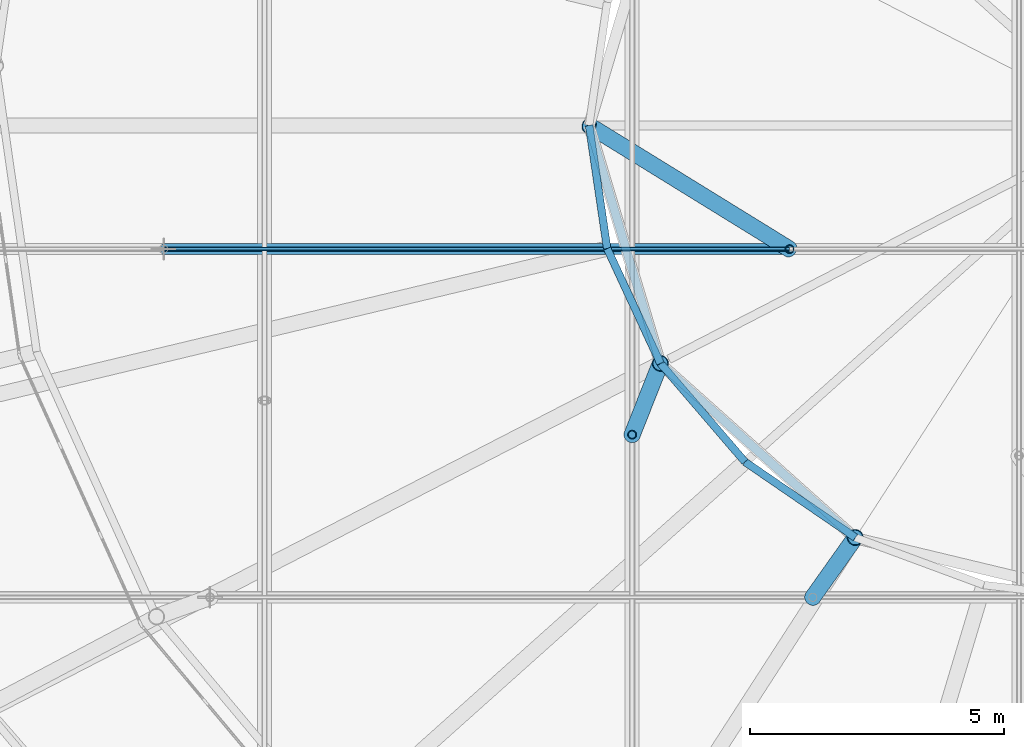
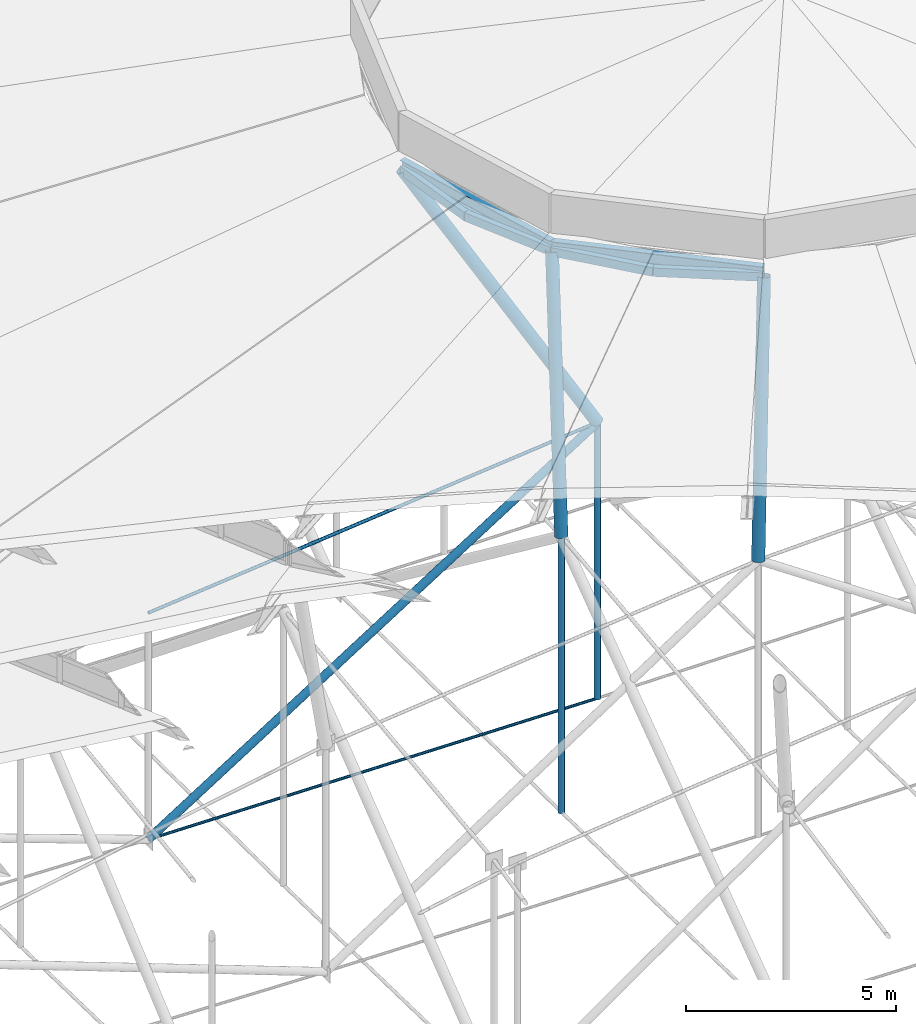
# One storey, part 50 of 173: 12 members, 2 beams.
"""IFC4 building model written with IfcOpenShell, lengths in metres."""

from ifc_helpers import new_model, si_unit, direction, frame, origin, origin_2d, place, context, subcontext, project, spatial, hollow_rectangle, circle, hollow_circle, i_section, extrude, material, material_profile, profile_set, type_object, element, save


model = new_model("IFC4")

# Units and contexts
model_context = context("Model", 3, precision=1e-05, world=origin(), true_north=direction((0.0, 1.0)))
body_context = subcontext(model_context, "Body", "Model", "MODEL_VIEW")
ifc_project = project(units=[si_unit("LENGTHUNIT", "METRE"), si_unit("AREAUNIT", "SQUARE_METRE"), si_unit("VOLUMEUNIT", "CUBIC_METRE"), si_unit("PLANEANGLEUNIT", "RADIAN"), si_unit("MASSUNIT", "GRAM", prefix="KILO")], contexts=[model_context])

# Site, building, storey
site_placement = place(None, origin())
site = spatial("IfcSite", under=ifc_project, at=site_placement, CompositionType="ELEMENT")
building_placement = place(site_placement, origin())
building = spatial("IfcBuilding", under=site, at=building_placement, Name="Glasvene Arena", CompositionType="ELEMENT")
storey_placement = place(building_placement, frame((0.0, 0.0, 28.800048828125)))
storey = spatial("IfcBuildingStorey", under=building, at=storey_placement, Name="RF", CompositionType="ELEMENT", Elevation=28.800048828125)

# Beams
ifc_material_1 = material(Name="Steel S355J2", Category="steel")
ifc_material_profile_1 = material_profile(ifc_material_1, i_section(OverallWidth=0.17138671875, OverallDepth=0.35498046875, WebThickness=0.00732421875, FlangeThickness=0.011474609375, FilletRadius=0.01025390625, at=origin_2d()), Name="UKB 356x171x51")
ifc_profile_set_1 = profile_set([ifc_material_profile_1], Name="Steel S355J2")
beam_type = type_object("IfcBeamType", Name="BM-JOIST-356", PredefinedType="JOIST", material=ifc_profile_set_1)
beam_1_placement = place(storey_placement, frame((75.699951171875, 68.39990234375, 13.079833984375), z_axis=(0.286740614769, -0.958008256667, 0.0), x_axis=(0.958008256667, 0.286740614769, 0.0)))
element("IfcBeam", 1, at=beam_1_placement, inside=storey, type_object=beam_type, Name="Crown lantern perimeter ring beam 07", PredefinedType="JOIST", context=body_context, shape_type="SweptSolid", body=[
    extrude(i_section(OverallWidth=0.17138671875, OverallDepth=0.35498046875, WebThickness=0.00732421875, FlangeThickness=0.011474609375, FilletRadius=0.01025390625, at=origin_2d()), origin(), (0.0, 0.0, 1.0), 4.906005859375),
])
beam_2_placement = place(storey_placement, frame((77.106689453125, 63.699951171875, 13.079833984375), z_axis=(0.74507541556, -0.666980228438, 0.0), x_axis=(0.666980228438, 0.74507541556, 0.0)))
element("IfcBeam", 2, at=beam_2_placement, inside=storey, type_object=beam_type, Name="Crown lantern perimeter ring beam 08", PredefinedType="JOIST", context=body_context, shape_type="SweptSolid", body=[
    extrude(i_section(OverallWidth=0.17138671875, OverallDepth=0.35498046875, WebThickness=0.00732421875, FlangeThickness=0.011474609375, FilletRadius=0.01025390625, at=origin_2d()), origin(), (0.0, 0.0, 1.0), 5.158203125),
])

# Members
ifc_material_2 = material(Name="High-strength steel spiral strand S460", Category="steel")
ifc_material_profile_2 = material_profile(ifc_material_2, circle(Radius=0.03759765625, at=origin_2d()), Name="LCSS D75")
ifc_profile_set_2 = profile_set([ifc_material_profile_2], Name="High-strength steel spiral strand S460")
member_type_1 = type_object("IfcMemberType", Name="MB-CABLE-75", PredefinedType="USERDEFINED", material=ifc_profile_set_2)
member_1_placement = place(storey_placement, frame((67.307861328125, 65.96044921875, -2.112548828125), z_axis=(0.999847586519, 0.0, -0.017458629178), x_axis=(0.0, 1.0, 0.0)))
element("IfcMember", 3, at=member_1_placement, inside=storey, type_object=member_type_1, Name="Lower stabilization roof cable EW03-03", ObjectType="ROOF CABLE", PredefinedType="USERDEFINED", context=body_context, shape_type="SweptSolid", body=[
    extrude(circle(Radius=0.03759765625, at=origin_2d()), origin(), (0.0, 0.0, 1.0), 12.347900390625),
])
ifc_material_profile_3 = material_profile(ifc_material_2, circle(Radius=0.044921875, at=origin_2d()), Name="LCSS D90")
ifc_profile_set_3 = profile_set([ifc_material_profile_3], Name="High-strength steel spiral strand S460")
member_type_2 = type_object("IfcMemberType", Name="MB-CABLE-90", PredefinedType="USERDEFINED", material=ifc_profile_set_3)
member_2_placement = place(storey_placement, frame((67.307861328125, 65.96044921875, 4.472900390625), z_axis=(0.995172455796, 0.0, 0.098141648778), x_axis=(0.0, 1.0, 0.0)))
element("IfcMember", 4, at=member_2_placement, inside=storey, type_object=member_type_2, Name="Upper lens roof cable EW03-03", ObjectType="ROOF CABLE", PredefinedType="USERDEFINED", context=body_context, shape_type="SweptSolid", body=[
    extrude(circle(Radius=0.044921875, at=origin_2d()), origin(), (0.0, 0.0, 1.0), 12.40576171875),
])
ifc_material_profile_4 = material_profile(ifc_material_1, hollow_circle(Radius=0.161865234375, WallThickness=0.01611328125, at=origin_2d()), Name="CHS 323.9x16.0")
ifc_profile_set_4 = profile_set([ifc_material_profile_4], Name="Steel S355J2")
member_type_3 = type_object("IfcMemberType", Name="MB-POST-CHS324", PredefinedType="BRACE", material=ifc_profile_set_4)
member_3_placement = place(storey_placement, frame((79.65380859375, 65.96044921875, 5.6904296875), z_axis=(-0.458657818915, 0.282982953171, 0.842350077677), x_axis=(-0.525082223299, -0.851051501835, 0.0)))
element("IfcMember", 5, at=member_3_placement, inside=storey, type_object=member_type_3, Name="Petal ring 5 ridge support post 13", PredefinedType="BRACE", context=body_context, shape_type="SweptSolid", body=[
    extrude(hollow_circle(Radius=0.161865234375, WallThickness=0.01611328125, at=origin_2d()), origin(), (0.0, 0.0, 1.0), 8.62060546875),
])
member_4_placement = place(storey_placement, frame((76.54931640625, 62.300537109375, 5.6904296875), z_axis=(0.07514112134, 0.189811146197, 0.978941030228), x_axis=(-0.929793968483, 0.368080393627, 0.0)))
element("IfcMember", 6, at=member_4_placement, inside=storey, type_object=member_type_3, Name="Petal ring 5 ridge support post 15", PredefinedType="BRACE", context=body_context, shape_type="SweptSolid", body=[
    extrude(hollow_circle(Radius=0.161865234375, WallThickness=0.01611328125, at=origin_2d()), origin(), (0.0, 0.0, 1.0), 7.417724609375),
])
member_5_placement = place(storey_placement, frame((80.11181640625, 59.09423828125, 5.6904296875), z_axis=(0.113195613315, 0.15935752961, 0.980709911688), x_axis=(-0.815257951354, 0.579097981998, 0.0)))
element("IfcMember", 7, at=member_5_placement, inside=storey, type_object=member_type_3, Name="Petal ring 5 ridge support post 17", PredefinedType="BRACE", context=body_context, shape_type="SweptSolid", body=[
    extrude(hollow_circle(Radius=0.161865234375, WallThickness=0.01611328125, at=origin_2d()), origin(), (0.0, 0.0, 1.0), 7.404296875),
])
ifc_material_profile_5 = material_profile(ifc_material_1, hollow_rectangle(XDim=0.14990234375, YDim=0.25, WallThickness=0.010009765625, at=origin_2d()), Name="RHS 250x150x10.0")
ifc_profile_set_5 = profile_set([ifc_material_profile_5], Name="Steel S355J2")
member_type_4 = type_object("IfcMemberType", Name="MB-PURLIN-RHS250", PredefinedType="PURLIN", material=ifc_profile_set_5)
member_6_placement = place(storey_placement, frame((75.699951171875, 68.39990234375, 12.951904296875), z_axis=(0.14580608572, -0.989313188716, 0.0), x_axis=(0.989313188716, 0.14580608572, 0.0)))
element("IfcMember", 8, at=member_6_placement, inside=storey, type_object=member_type_4, Name="Petal ring 5 ridge purlin 13", PredefinedType="PURLIN", context=body_context, shape_type="SweptSolid", body=[
    extrude(hollow_rectangle(XDim=0.14990234375, YDim=0.25, WallThickness=0.010009765625, at=origin_2d()), origin(), (0.0, 0.0, 1.0), 2.45458984375),
])
member_7_placement = place(storey_placement, frame((76.057861328125, 65.971435546875, 12.951904296875), z_axis=(0.420510145965, -0.907287835882, 0.0), x_axis=(0.907287835882, 0.420510145965, 0.0)))
element("IfcMember", 9, at=member_7_placement, inside=storey, type_object=member_type_4, Name="Petal ring 5 ridge purlin 14", PredefinedType="PURLIN", context=body_context, shape_type="SweptSolid", body=[
    extrude(hollow_rectangle(XDim=0.14990234375, YDim=0.25, WallThickness=0.010009765625, at=origin_2d()), origin(), (0.0, 0.0, 1.0), 2.494140625),
])
member_8_placement = place(storey_placement, frame((77.106689453125, 63.70849609375, 12.951904296875), z_axis=(0.651458307, -0.758684436535, 0.0), x_axis=(0.758684436535, 0.651458307, 0.0)))
element("IfcMember", 10, at=member_8_placement, inside=storey, type_object=member_type_4, Name="Petal ring 5 ridge purlin 15", PredefinedType="PURLIN", context=body_context, shape_type="SweptSolid", body=[
    extrude(hollow_rectangle(XDim=0.14990234375, YDim=0.25, WallThickness=0.010009765625, at=origin_2d()), origin(), (0.0, 0.0, 1.0), 2.5615234375),
])
member_9_placement = place(storey_placement, frame((78.775390625, 61.76513671875, 12.951904296875), z_axis=(0.824757231308, -0.56548696661, 0.0), x_axis=(0.56548696661, 0.824757231308, 0.0)))
element("IfcMember", 11, at=member_9_placement, inside=storey, type_object=member_type_4, Name="Petal ring 5 ridge purlin 16", PredefinedType="PURLIN", context=body_context, shape_type="SweptSolid", body=[
    extrude(hollow_rectangle(XDim=0.14990234375, YDim=0.25, WallThickness=0.010009765625, at=origin_2d()), origin(), (0.0, 0.0, 1.0), 2.63671875),
])
ifc_material_profile_6 = material_profile(ifc_material_1, hollow_circle(Radius=0.084228515625, WallThickness=0.008056640625, at=origin_2d()), Name="CHS 168.3x8.0")
ifc_profile_set_6 = profile_set([ifc_material_profile_6], Name="Steel S355J2")
member_type_5 = type_object("IfcMemberType", Name="MB-WEB-CHS168", PredefinedType="BRACE", material=ifc_profile_set_6)
for number, where, z_axis, x_axis, name in (
    (12, (76.54931640625, 62.300537109375, -2.328125), (0.0, 0.0, 1.0), (1.0, 0.0, 0.0), "Cable-truss vertical strut NS07-03"),
    (13, (79.65380859375, 65.96044921875, -2.328125), (0.0, 0.0, 1.0), (1.0, 0.0, 0.0), "Cable-truss vertical strut EW03-03"),
):
    element("IfcMember", number, at=place(storey_placement, frame(where, z_axis=z_axis, x_axis=x_axis)), inside=storey, type_object=member_type_5, Name=name, PredefinedType="BRACE", context=body_context, shape_type="SweptSolid", body=[
        extrude(hollow_circle(Radius=0.084228515625, WallThickness=0.008056640625, at=origin_2d()), origin(), (0.0, 0.0, 1.0), 8.0185546875),
    ])
ifc_material_profile_7 = material_profile(ifc_material_1, hollow_circle(Radius=0.109619140625, WallThickness=0.010009765625, at=origin_2d()), Name="CHS 219.1x10.0")
ifc_profile_set_7 = profile_set([ifc_material_profile_7], Name="Steel S355J2")
member_type_6 = type_object("IfcMemberType", Name="MB-WEB-CHS219", PredefinedType="BRACE", material=ifc_profile_set_7)
member_10_placement = place(storey_placement, frame((67.307861328125, 65.96044921875, -2.112548828125), z_axis=(0.845317659991, 0.0, 0.534264029958), x_axis=(0.0, 1.0, 0.0)))
element("IfcMember", 14, at=member_10_placement, inside=storey, type_object=member_type_6, Name="Cable-truss diagonal web strut EW03-03", PredefinedType="BRACE", context=body_context, shape_type="SweptSolid", body=[
    extrude(hollow_circle(Radius=0.109619140625, WallThickness=0.010009765625, at=origin_2d()), origin(), (0.0, 0.0, 1.0), 14.60498046875),
])

save(model, "model.ifc")
